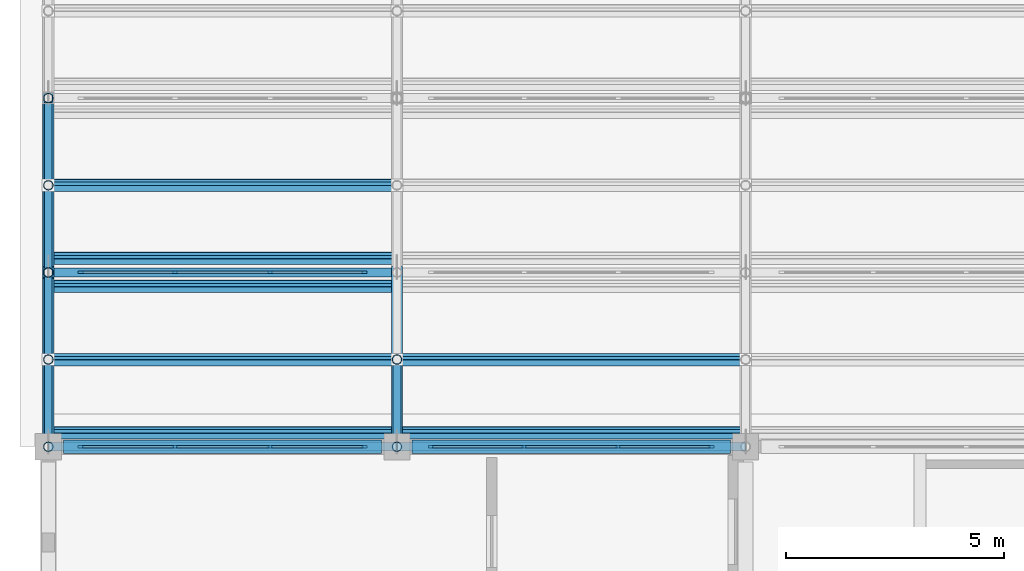
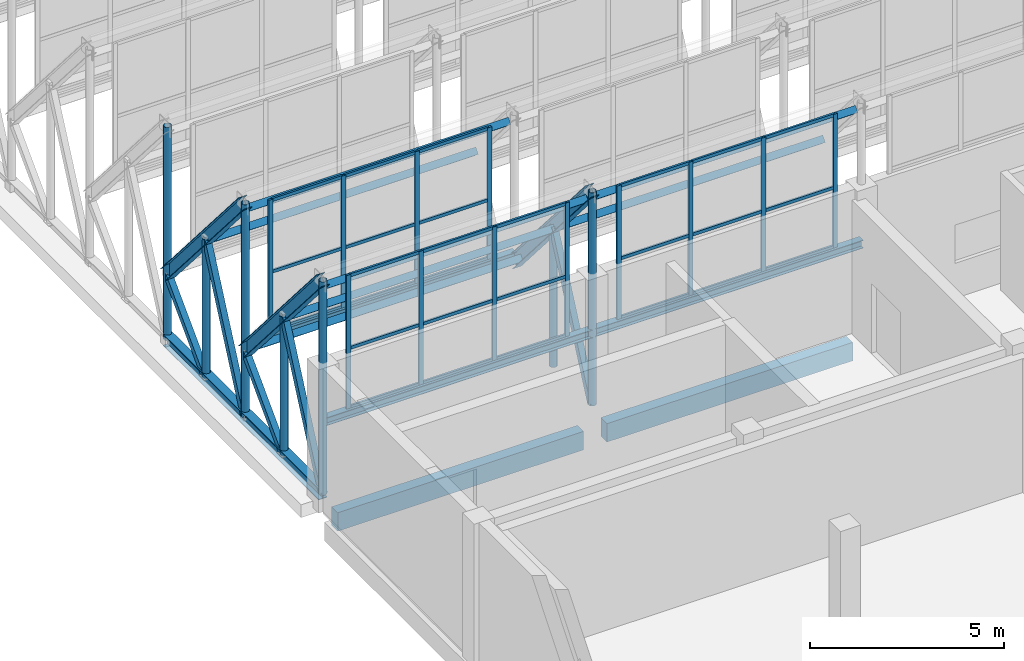
# One storey, part 21 of 43: 61 members, 6 beams, 3 elements without a shape of their own.
"""IFC4 building model written with IfcOpenShell, lengths in metres."""

from ifc_helpers import new_model, si_unit, direction, frame, origin, origin_2d, place, context, subcontext, project, spatial, rectangle, hollow_rectangle, hollow_circle, i_section, extrude, material, layer, layer_set, material_profile, profile_set, type_object, element, aggregate, save


model = new_model("IFC4")

# Units and contexts
model_context = context("Model", 3, precision=1e-05, world=origin(), true_north=direction((0.0, 1.0)))
body_context = subcontext(model_context, "Body", "Model", "MODEL_VIEW")
ifc_project = project(units=[si_unit("LENGTHUNIT", "METRE"), si_unit("AREAUNIT", "SQUARE_METRE"), si_unit("VOLUMEUNIT", "CUBIC_METRE"), si_unit("PLANEANGLEUNIT", "RADIAN"), si_unit("MASSUNIT", "GRAM", prefix="KILO")], contexts=[model_context])

# Site, building, storey
site_placement = place(None, origin())
site = spatial("IfcSite", under=ifc_project, at=site_placement, CompositionType="ELEMENT")
building_placement = place(site_placement, origin())
building = spatial("IfcBuilding", under=site, at=building_placement, Name="Qorikala Patio Media Centre", CompositionType="ELEMENT")
storey_placement = place(building_placement, frame((0.0, 0.0, 18.89990234375)))
storey = spatial("IfcBuildingStorey", under=building, at=storey_placement, Name="L04", CompositionType="ELEMENT", Elevation=18.89990234375)

# Members
ifc_material_1 = material(Name="Steel S355", Category="steel")
ifc_material_profile_1 = material_profile(ifc_material_1, hollow_rectangle(XDim=0.179931640625, YDim=0.179931640625, WallThickness=0.008056640625, at=origin_2d()), Name="HSS180X180X8")
ifc_profile_set_1 = profile_set([ifc_material_profile_1], Name="Steel S355")
member_type_1 = type_object("IfcMemberType", Name="BRACE-HSS180", PredefinedType="BRACE", material=ifc_profile_set_1)
member_1_placement = place(storey_placement, frame((3.0, 72.0, 0.35009765625), z_axis=(0.0, 0.415759760268, 0.909474475586), x_axis=(-1.0, 0.0, 0.0)))
element("IfcMember", 1, at=member_1_placement, inside=storey, type_object=member_type_1, Name="SAW-V4 Truss 1 Bay 1 Web Diagonal 1", PredefinedType="BRACE", context=body_context, shape_type="SweptSolid", body=[
    extrude(hollow_rectangle(XDim=0.179931640625, YDim=0.179931640625, WallThickness=0.008056640625, at=origin_2d()), origin(), (0.0, 0.0, 1.0), 4.810546875),
])
member_2_placement = place(storey_placement, frame((3.0, 74.0, 0.35009765625), z_axis=(0.0, 0.698315330267, 0.715790262238), x_axis=(-1.0, 0.0, 0.0)))
element("IfcMember", 2, at=member_2_placement, inside=storey, type_object=member_type_1, Name="SAW-V4 Truss 1 Bay 1 Web Diagonal 2", PredefinedType="BRACE", context=body_context, shape_type="SweptSolid", body=[
    extrude(hollow_rectangle(XDim=0.179931640625, YDim=0.179931640625, WallThickness=0.008056640625, at=origin_2d()), origin(), (0.0, 0.0, 1.0), 2.864013671875),
])
member_3_placement = place(storey_placement, frame((3.0, 76.0, 0.35009765625), z_axis=(0.0, 0.415759760268, 0.909474475586), x_axis=(-1.0, 0.0, 0.0)))
element("IfcMember", 3, at=member_3_placement, inside=storey, type_object=member_type_1, Name="SAW-V4 Truss 1 Bay 2 Web Diagonal 1", PredefinedType="BRACE", context=body_context, shape_type="SweptSolid", body=[
    extrude(hollow_rectangle(XDim=0.179931640625, YDim=0.179931640625, WallThickness=0.008056640625, at=origin_2d()), origin(), (0.0, 0.0, 1.0), 4.810546875),
])
member_4_placement = place(storey_placement, frame((3.0, 78.0, 0.35009765625), z_axis=(0.0, 0.698315330267, 0.715790262238), x_axis=(-1.0, 0.0, 0.0)))
element("IfcMember", 4, at=member_4_placement, inside=storey, type_object=member_type_1, Name="SAW-V4 Truss 1 Bay 2 Web Diagonal 2", PredefinedType="BRACE", context=body_context, shape_type="SweptSolid", body=[
    extrude(hollow_rectangle(XDim=0.179931640625, YDim=0.179931640625, WallThickness=0.008056640625, at=origin_2d()), origin(), (0.0, 0.0, 1.0), 2.864013671875),
])
member_5_placement = place(storey_placement, frame((11.0, 72.0, 0.35009765625), z_axis=(0.0, 0.415759760268, 0.909474475586), x_axis=(-1.0, 0.0, 0.0)))
element("IfcMember", 5, at=member_5_placement, inside=storey, type_object=member_type_1, Name="SAW-V4 Truss 2 Bay 1 Web Diagonal 1", PredefinedType="BRACE", context=body_context, shape_type="SweptSolid", body=[
    extrude(hollow_rectangle(XDim=0.179931640625, YDim=0.179931640625, WallThickness=0.008056640625, at=origin_2d()), origin(), (0.0, 0.0, 1.0), 4.810546875),
])
ifc_material_profile_2 = material_profile(ifc_material_1, i_section(OverallWidth=0.25390625, OverallDepth=0.35302734375, WebThickness=0.009521484375, FlangeThickness=0.016357421875, at=origin_2d()), Name="W360X91")
ifc_profile_set_2 = profile_set([ifc_material_profile_2], Name="Steel S355")
member_type_2 = type_object("IfcMemberType", Name="CHORD-W360X91", PredefinedType="CHORD", material=ifc_profile_set_2)
for number, where, z_axis, x_axis, name in (
    (6, (3.0, 72.0, 7.050048828125), (0.0, 0.652140853929, -0.758097821285), (-1.0, 0.0, 0.0), "SAW-V4 Truss 1 Bay 1 Sloped Top Chord"),
    (7, (3.0, 76.0, 7.050048828125), (0.0, 0.652140853929, -0.758097821285), (-1.0, 0.0, 0.0), "SAW-V4 Truss 1 Bay 2 Sloped Top Chord"),
    (8, (11.0, 72.0, 7.050048828125), (0.0, 0.652140853929, -0.758097821285), (-1.0, 0.0, 0.0), "SAW-V4 Truss 2 Bay 1 Sloped Top Chord"),
):
    element("IfcMember", number, at=place(storey_placement, frame(where, z_axis=z_axis, x_axis=x_axis)), inside=storey, type_object=member_type_2, Name=name, PredefinedType="CHORD", context=body_context, shape_type="SweptSolid", body=[
        extrude(i_section(OverallWidth=0.25390625, OverallDepth=0.35302734375, WebThickness=0.009521484375, FlangeThickness=0.016357421875, at=origin_2d()), origin(), (0.0, 0.0, 1.0), 6.133544921875),
    ])

# Curtain wall, members
ifc_material_2 = material(Name="Bronze Anodised Aluminium and Low-E Glass", Category="aluminium")
ifc_layer_1 = layer(ifc_material_2, 0.159912109375)
ifc_layer_set_1 = layer_set([ifc_layer_1], Name="Bronze Anodised Aluminium and Low-E Glass")
curtain_wall_type_1 = type_object("IfcCurtainWallType", Name="CW-SAW-656X420", PredefinedType="USERDEFINED", material=ifc_layer_set_1)
curtain_wall_1_placement = place(storey_placement, origin())
curtain_wall_1 = element("IfcCurtainWall", 9, at=curtain_wall_1_placement, inside=storey, type_object=curtain_wall_type_1, Name="L04 Sawtooth Glazing 142", ObjectType="SAWTOOTH GLAZING", PredefinedType="USERDEFINED")
ifc_material_3 = material(Name="Bronze Anodised Aluminium", Category="aluminium")
ifc_material_profile_3 = material_profile(ifc_material_3, rectangle(XDim=0.06005859375, YDim=0.1298828125, at=origin_2d()), Name="ALU MULLION 60x130")
ifc_profile_set_3 = profile_set([ifc_material_profile_3], Name="Bronze Anodised Aluminium")
member_type_3 = type_object("IfcMemberType", Name="CWM-60X130", PredefinedType="MULLION", material=ifc_profile_set_3)
member_6_placement = place(storey_placement, frame((3.75, 72.0, 2.75), z_axis=(0.0, 0.0, 1.0), x_axis=(0.0, 1.0, 0.0)))
member_6 = element("IfcMember", 10, at=member_6_placement, type_object=member_type_3, Name="CWS656420 mullion 1", PredefinedType="MULLION", context=body_context, shape_type="SweptSolid", body=[
    extrude(rectangle(XDim=0.06005859375, YDim=0.1298828125, at=origin_2d()), origin(), (0.0, 0.0, 1.0), 4.2001953125),
])
member_7_placement = place(storey_placement, frame((5.90673828125, 72.0, 2.75), z_axis=(0.0, 0.0, 1.0), x_axis=(0.0, 1.0, 0.0)))
member_7 = element("IfcMember", 11, at=member_7_placement, type_object=member_type_3, Name="CWS656420 mullion 2", PredefinedType="MULLION", context=body_context, shape_type="SweptSolid", body=[
    extrude(rectangle(XDim=0.06005859375, YDim=0.1298828125, at=origin_2d()), origin(), (0.0, 0.0, 1.0), 4.2001953125),
])
member_8_placement = place(storey_placement, frame((8.09326171875, 72.0, 2.75), z_axis=(0.0, 0.0, 1.0), x_axis=(0.0, 1.0, 0.0)))
member_8 = element("IfcMember", 12, at=member_8_placement, type_object=member_type_3, Name="CWS656420 mullion 3", PredefinedType="MULLION", context=body_context, shape_type="SweptSolid", body=[
    extrude(rectangle(XDim=0.06005859375, YDim=0.1298828125, at=origin_2d()), origin(), (0.0, 0.0, 1.0), 4.2001953125),
])
member_9_placement = place(storey_placement, frame((10.25, 72.0, 2.75), z_axis=(0.0, 0.0, 1.0), x_axis=(0.0, 1.0, 0.0)))
member_9 = element("IfcMember", 13, at=member_9_placement, type_object=member_type_3, Name="CWS656420 mullion 4", PredefinedType="MULLION", context=body_context, shape_type="SweptSolid", body=[
    extrude(rectangle(XDim=0.06005859375, YDim=0.1298828125, at=origin_2d()), origin(), (0.0, 0.0, 1.0), 4.2001953125),
])

ifc_layer_2 = layer(ifc_material_2, 0.159912109375)
ifc_layer_set_2 = layer_set([ifc_layer_2], Name="Bronze Anodised Aluminium and Low-E Glass")
curtain_wall_type_2 = type_object("IfcCurtainWallType", Name="CW-SAW-648X420", PredefinedType="USERDEFINED", material=ifc_layer_set_2)
curtain_wall_2_placement = place(storey_placement, origin())
curtain_wall_2 = element("IfcCurtainWall", 14, at=curtain_wall_2_placement, inside=storey, type_object=curtain_wall_type_2, Name="L04 Sawtooth Glazing 143", ObjectType="SAWTOOTH GLAZING", PredefinedType="USERDEFINED")
member_10_placement = place(storey_placement, frame((11.7900390625, 72.0, 2.75), z_axis=(0.0, 0.0, 1.0), x_axis=(0.0, 1.0, 0.0)))
member_10 = element("IfcMember", 15, at=member_10_placement, type_object=member_type_3, Name="CWS648420 mullion 1", PredefinedType="MULLION", context=body_context, shape_type="SweptSolid", body=[
    extrude(rectangle(XDim=0.06005859375, YDim=0.1298828125, at=origin_2d()), origin(), (0.0, 0.0, 1.0), 4.2001953125),
])
member_11_placement = place(storey_placement, frame((13.919921875, 72.0, 2.75), z_axis=(0.0, 0.0, 1.0), x_axis=(0.0, 1.0, 0.0)))
member_11 = element("IfcMember", 16, at=member_11_placement, type_object=member_type_3, Name="CWS648420 mullion 2", PredefinedType="MULLION", context=body_context, shape_type="SweptSolid", body=[
    extrude(rectangle(XDim=0.06005859375, YDim=0.1298828125, at=origin_2d()), origin(), (0.0, 0.0, 1.0), 4.2001953125),
])
member_12_placement = place(storey_placement, frame((16.080078125, 72.0, 2.75), z_axis=(0.0, 0.0, 1.0), x_axis=(0.0, 1.0, 0.0)))
member_12 = element("IfcMember", 17, at=member_12_placement, type_object=member_type_3, Name="CWS648420 mullion 3", PredefinedType="MULLION", context=body_context, shape_type="SweptSolid", body=[
    extrude(rectangle(XDim=0.06005859375, YDim=0.1298828125, at=origin_2d()), origin(), (0.0, 0.0, 1.0), 4.2001953125),
])
member_13_placement = place(storey_placement, frame((18.2099609375, 72.0, 2.75), z_axis=(0.0, 0.0, 1.0), x_axis=(0.0, 1.0, 0.0)))
member_13 = element("IfcMember", 18, at=member_13_placement, type_object=member_type_3, Name="CWS648420 mullion 4", PredefinedType="MULLION", context=body_context, shape_type="SweptSolid", body=[
    extrude(rectangle(XDim=0.06005859375, YDim=0.1298828125, at=origin_2d()), origin(), (0.0, 0.0, 1.0), 4.2001953125),
])

ifc_layer_3 = layer(ifc_material_2, 0.159912109375)
ifc_layer_set_3 = layer_set([ifc_layer_3], Name="Bronze Anodised Aluminium and Low-E Glass")
curtain_wall_type_3 = type_object("IfcCurtainWallType", Name="CW-SAW-656X414", PredefinedType="USERDEFINED", material=ifc_layer_set_3)
curtain_wall_3_placement = place(storey_placement, origin())
curtain_wall_3 = element("IfcCurtainWall", 19, at=curtain_wall_3_placement, inside=storey, type_object=curtain_wall_type_3, Name="L04 Sawtooth Glazing 145", ObjectType="SAWTOOTH GLAZING", PredefinedType="USERDEFINED")
member_14_placement = place(storey_placement, frame((3.75, 76.0, 2.75), z_axis=(0.0, 0.0, 1.0), x_axis=(0.0, 1.0, 0.0)))
member_14 = element("IfcMember", 20, at=member_14_placement, type_object=member_type_3, Name="CWS656414 mullion 1", PredefinedType="MULLION", context=body_context, shape_type="SweptSolid", body=[
    extrude(rectangle(XDim=0.06005859375, YDim=0.1298828125, at=origin_2d()), origin(), (0.0, 0.0, 1.0), 4.14013671875),
])
member_15_placement = place(storey_placement, frame((5.90673828125, 76.0, 2.75), z_axis=(0.0, 0.0, 1.0), x_axis=(0.0, 1.0, 0.0)))
member_15 = element("IfcMember", 21, at=member_15_placement, type_object=member_type_3, Name="CWS656414 mullion 2", PredefinedType="MULLION", context=body_context, shape_type="SweptSolid", body=[
    extrude(rectangle(XDim=0.06005859375, YDim=0.1298828125, at=origin_2d()), origin(), (0.0, 0.0, 1.0), 4.14013671875),
])
member_16_placement = place(storey_placement, frame((8.09326171875, 76.0, 2.75), z_axis=(0.0, 0.0, 1.0), x_axis=(0.0, 1.0, 0.0)))
member_16 = element("IfcMember", 22, at=member_16_placement, type_object=member_type_3, Name="CWS656414 mullion 3", PredefinedType="MULLION", context=body_context, shape_type="SweptSolid", body=[
    extrude(rectangle(XDim=0.06005859375, YDim=0.1298828125, at=origin_2d()), origin(), (0.0, 0.0, 1.0), 4.14013671875),
])
member_17_placement = place(storey_placement, frame((10.25, 76.0, 2.75), z_axis=(0.0, 0.0, 1.0), x_axis=(0.0, 1.0, 0.0)))
member_17 = element("IfcMember", 23, at=member_17_placement, type_object=member_type_3, Name="CWS656414 mullion 4", PredefinedType="MULLION", context=body_context, shape_type="SweptSolid", body=[
    extrude(rectangle(XDim=0.06005859375, YDim=0.1298828125, at=origin_2d()), origin(), (0.0, 0.0, 1.0), 4.14013671875),
])

# Member
ifc_material_profile_4 = material_profile(ifc_material_3, rectangle(XDim=0.06005859375, YDim=0.10009765625, at=origin_2d()), Name="ALU TRANSOM 60x100")
ifc_profile_set_4 = profile_set([ifc_material_profile_4], Name="Bronze Anodised Aluminium")
member_type_4 = type_object("IfcMemberType", Name="CWT-60X100", PredefinedType="USERDEFINED", material=ifc_profile_set_4)
member_18_placement = place(storey_placement, frame((3.780029296875, 72.0, 2.780029296875), z_axis=(1.0, 0.0, 0.0), x_axis=(0.0, 1.0, 0.0)))
member_18 = element("IfcMember", 24, at=member_18_placement, type_object=member_type_4, Name="CWS656420 transom 1.1", ObjectType="TRANSOM", PredefinedType="USERDEFINED", context=body_context, shape_type="SweptSolid", body=[
    extrude(rectangle(XDim=0.06005859375, YDim=0.10009765625, at=origin_2d()), origin(), (0.0, 0.0, 1.0), 2.0966796875),
])

member_19_placement = place(storey_placement, frame((3.780029296875, 72.0, 4.64013671875), z_axis=(1.0, 0.0, 0.0), x_axis=(0.0, 1.0, 0.0)))
member_19 = element("IfcMember", 25, at=member_19_placement, type_object=member_type_4, Name="CWS656420 transom 1.2", ObjectType="TRANSOM", PredefinedType="USERDEFINED", context=body_context, shape_type="SweptSolid", body=[
    extrude(rectangle(XDim=0.06005859375, YDim=0.10009765625, at=origin_2d()), origin(), (0.0, 0.0, 1.0), 2.0966796875),
])

member_20_placement = place(storey_placement, frame((3.780029296875, 72.0, 6.920166015625), z_axis=(1.0, 0.0, 0.0), x_axis=(0.0, 1.0, 0.0)))
member_20 = element("IfcMember", 26, at=member_20_placement, type_object=member_type_4, Name="CWS656420 transom 1.3", ObjectType="TRANSOM", PredefinedType="USERDEFINED", context=body_context, shape_type="SweptSolid", body=[
    extrude(rectangle(XDim=0.06005859375, YDim=0.10009765625, at=origin_2d()), origin(), (0.0, 0.0, 1.0), 2.0966796875),
])

member_21_placement = place(storey_placement, frame((5.936767578125, 72.0, 2.780029296875), z_axis=(1.0, 0.0, 0.0), x_axis=(0.0, 1.0, 0.0)))
member_21 = element("IfcMember", 27, at=member_21_placement, type_object=member_type_4, Name="CWS656420 transom 2.1", ObjectType="TRANSOM", PredefinedType="USERDEFINED", context=body_context, shape_type="SweptSolid", body=[
    extrude(rectangle(XDim=0.06005859375, YDim=0.10009765625, at=origin_2d()), origin(), (0.0, 0.0, 1.0), 2.12646484375),
])

member_22_placement = place(storey_placement, frame((5.936767578125, 72.0, 4.64013671875), z_axis=(1.0, 0.0, 0.0), x_axis=(0.0, 1.0, 0.0)))
member_22 = element("IfcMember", 28, at=member_22_placement, type_object=member_type_4, Name="CWS656420 transom 2.2", ObjectType="TRANSOM", PredefinedType="USERDEFINED", context=body_context, shape_type="SweptSolid", body=[
    extrude(rectangle(XDim=0.06005859375, YDim=0.10009765625, at=origin_2d()), origin(), (0.0, 0.0, 1.0), 2.12646484375),
])

member_23_placement = place(storey_placement, frame((5.936767578125, 72.0, 6.920166015625), z_axis=(1.0, 0.0, 0.0), x_axis=(0.0, 1.0, 0.0)))
member_23 = element("IfcMember", 29, at=member_23_placement, type_object=member_type_4, Name="CWS656420 transom 2.3", ObjectType="TRANSOM", PredefinedType="USERDEFINED", context=body_context, shape_type="SweptSolid", body=[
    extrude(rectangle(XDim=0.06005859375, YDim=0.10009765625, at=origin_2d()), origin(), (0.0, 0.0, 1.0), 2.12646484375),
])

member_24_placement = place(storey_placement, frame((8.123291015625, 72.0, 2.780029296875), z_axis=(1.0, 0.0, 0.0), x_axis=(0.0, 1.0, 0.0)))
member_24 = element("IfcMember", 30, at=member_24_placement, type_object=member_type_4, Name="CWS656420 transom 3.1", ObjectType="TRANSOM", PredefinedType="USERDEFINED", context=body_context, shape_type="SweptSolid", body=[
    extrude(rectangle(XDim=0.06005859375, YDim=0.10009765625, at=origin_2d()), origin(), (0.0, 0.0, 1.0), 2.0966796875),
])

member_25_placement = place(storey_placement, frame((8.123291015625, 72.0, 4.64013671875), z_axis=(1.0, 0.0, 0.0), x_axis=(0.0, 1.0, 0.0)))
member_25 = element("IfcMember", 31, at=member_25_placement, type_object=member_type_4, Name="CWS656420 transom 3.2", ObjectType="TRANSOM", PredefinedType="USERDEFINED", context=body_context, shape_type="SweptSolid", body=[
    extrude(rectangle(XDim=0.06005859375, YDim=0.10009765625, at=origin_2d()), origin(), (0.0, 0.0, 1.0), 2.0966796875),
])

member_26_placement = place(storey_placement, frame((8.123291015625, 72.0, 6.920166015625), z_axis=(1.0, 0.0, 0.0), x_axis=(0.0, 1.0, 0.0)))
member_26 = element("IfcMember", 32, at=member_26_placement, type_object=member_type_4, Name="CWS656420 transom 3.3", ObjectType="TRANSOM", PredefinedType="USERDEFINED", context=body_context, shape_type="SweptSolid", body=[
    extrude(rectangle(XDim=0.06005859375, YDim=0.10009765625, at=origin_2d()), origin(), (0.0, 0.0, 1.0), 2.0966796875),
])

aggregate(curtain_wall_1, [member_6, member_7, member_8, member_9, member_18, member_19, member_20, member_21, member_22, member_23, member_24, member_25, member_26])

member_27_placement = place(storey_placement, frame((11.820068359375, 72.0, 2.780029296875), z_axis=(1.0, 0.0, 0.0), x_axis=(0.0, 1.0, 0.0)))
member_27 = element("IfcMember", 33, at=member_27_placement, type_object=member_type_4, Name="CWS648420 transom 1.1", ObjectType="TRANSOM", PredefinedType="USERDEFINED", context=body_context, shape_type="SweptSolid", body=[
    extrude(rectangle(XDim=0.06005859375, YDim=0.10009765625, at=origin_2d()), origin(), (0.0, 0.0, 1.0), 2.06982421875),
])

member_28_placement = place(storey_placement, frame((11.820068359375, 72.0, 4.64013671875), z_axis=(1.0, 0.0, 0.0), x_axis=(0.0, 1.0, 0.0)))
member_28 = element("IfcMember", 34, at=member_28_placement, type_object=member_type_4, Name="CWS648420 transom 1.2", ObjectType="TRANSOM", PredefinedType="USERDEFINED", context=body_context, shape_type="SweptSolid", body=[
    extrude(rectangle(XDim=0.06005859375, YDim=0.10009765625, at=origin_2d()), origin(), (0.0, 0.0, 1.0), 2.06982421875),
])

member_29_placement = place(storey_placement, frame((11.820068359375, 72.0, 6.920166015625), z_axis=(1.0, 0.0, 0.0), x_axis=(0.0, 1.0, 0.0)))
member_29 = element("IfcMember", 35, at=member_29_placement, type_object=member_type_4, Name="CWS648420 transom 1.3", ObjectType="TRANSOM", PredefinedType="USERDEFINED", context=body_context, shape_type="SweptSolid", body=[
    extrude(rectangle(XDim=0.06005859375, YDim=0.10009765625, at=origin_2d()), origin(), (0.0, 0.0, 1.0), 2.06982421875),
])

member_30_placement = place(storey_placement, frame((13.949951171875, 72.0, 2.780029296875), z_axis=(1.0, 0.0, 0.0), x_axis=(0.0, 1.0, 0.0)))
member_30 = element("IfcMember", 36, at=member_30_placement, type_object=member_type_4, Name="CWS648420 transom 2.1", ObjectType="TRANSOM", PredefinedType="USERDEFINED", context=body_context, shape_type="SweptSolid", body=[
    extrude(rectangle(XDim=0.06005859375, YDim=0.10009765625, at=origin_2d()), origin(), (0.0, 0.0, 1.0), 2.10009765625),
])

member_31_placement = place(storey_placement, frame((13.949951171875, 72.0, 4.64013671875), z_axis=(1.0, 0.0, 0.0), x_axis=(0.0, 1.0, 0.0)))
member_31 = element("IfcMember", 37, at=member_31_placement, type_object=member_type_4, Name="CWS648420 transom 2.2", ObjectType="TRANSOM", PredefinedType="USERDEFINED", context=body_context, shape_type="SweptSolid", body=[
    extrude(rectangle(XDim=0.06005859375, YDim=0.10009765625, at=origin_2d()), origin(), (0.0, 0.0, 1.0), 2.10009765625),
])

member_32_placement = place(storey_placement, frame((13.949951171875, 72.0, 6.920166015625), z_axis=(1.0, 0.0, 0.0), x_axis=(0.0, 1.0, 0.0)))
member_32 = element("IfcMember", 38, at=member_32_placement, type_object=member_type_4, Name="CWS648420 transom 2.3", ObjectType="TRANSOM", PredefinedType="USERDEFINED", context=body_context, shape_type="SweptSolid", body=[
    extrude(rectangle(XDim=0.06005859375, YDim=0.10009765625, at=origin_2d()), origin(), (0.0, 0.0, 1.0), 2.10009765625),
])

member_33_placement = place(storey_placement, frame((16.110107421875, 72.0, 2.780029296875), z_axis=(1.0, 0.0, 0.0), x_axis=(0.0, 1.0, 0.0)))
member_33 = element("IfcMember", 39, at=member_33_placement, type_object=member_type_4, Name="CWS648420 transom 3.1", ObjectType="TRANSOM", PredefinedType="USERDEFINED", context=body_context, shape_type="SweptSolid", body=[
    extrude(rectangle(XDim=0.06005859375, YDim=0.10009765625, at=origin_2d()), origin(), (0.0, 0.0, 1.0), 2.06982421875),
])

member_34_placement = place(storey_placement, frame((16.110107421875, 72.0, 4.64013671875), z_axis=(1.0, 0.0, 0.0), x_axis=(0.0, 1.0, 0.0)))
member_34 = element("IfcMember", 40, at=member_34_placement, type_object=member_type_4, Name="CWS648420 transom 3.2", ObjectType="TRANSOM", PredefinedType="USERDEFINED", context=body_context, shape_type="SweptSolid", body=[
    extrude(rectangle(XDim=0.06005859375, YDim=0.10009765625, at=origin_2d()), origin(), (0.0, 0.0, 1.0), 2.06982421875),
])

member_35_placement = place(storey_placement, frame((16.110107421875, 72.0, 6.920166015625), z_axis=(1.0, 0.0, 0.0), x_axis=(0.0, 1.0, 0.0)))
member_35 = element("IfcMember", 41, at=member_35_placement, type_object=member_type_4, Name="CWS648420 transom 3.3", ObjectType="TRANSOM", PredefinedType="USERDEFINED", context=body_context, shape_type="SweptSolid", body=[
    extrude(rectangle(XDim=0.06005859375, YDim=0.10009765625, at=origin_2d()), origin(), (0.0, 0.0, 1.0), 2.06982421875),
])

aggregate(curtain_wall_2, [member_10, member_11, member_12, member_13, member_27, member_28, member_29, member_30, member_31, member_32, member_33, member_34, member_35])

member_36_placement = place(storey_placement, frame((3.780029296875, 76.0, 2.780029296875), z_axis=(1.0, 0.0, 0.0), x_axis=(0.0, 1.0, 0.0)))
member_36 = element("IfcMember", 42, at=member_36_placement, type_object=member_type_4, Name="CWS656414 transom 1.1", ObjectType="TRANSOM", PredefinedType="USERDEFINED", context=body_context, shape_type="SweptSolid", body=[
    extrude(rectangle(XDim=0.06005859375, YDim=0.10009765625, at=origin_2d()), origin(), (0.0, 0.0, 1.0), 2.0966796875),
])

member_37_placement = place(storey_placement, frame((3.780029296875, 76.0, 4.613037109375), z_axis=(1.0, 0.0, 0.0), x_axis=(0.0, 1.0, 0.0)))
member_37 = element("IfcMember", 43, at=member_37_placement, type_object=member_type_4, Name="CWS656414 transom 1.2", ObjectType="TRANSOM", PredefinedType="USERDEFINED", context=body_context, shape_type="SweptSolid", body=[
    extrude(rectangle(XDim=0.06005859375, YDim=0.10009765625, at=origin_2d()), origin(), (0.0, 0.0, 1.0), 2.0966796875),
])

member_38_placement = place(storey_placement, frame((3.780029296875, 76.0, 6.860107421875), z_axis=(1.0, 0.0, 0.0), x_axis=(0.0, 1.0, 0.0)))
member_38 = element("IfcMember", 44, at=member_38_placement, type_object=member_type_4, Name="CWS656414 transom 1.3", ObjectType="TRANSOM", PredefinedType="USERDEFINED", context=body_context, shape_type="SweptSolid", body=[
    extrude(rectangle(XDim=0.06005859375, YDim=0.10009765625, at=origin_2d()), origin(), (0.0, 0.0, 1.0), 2.0966796875),
])

member_39_placement = place(storey_placement, frame((5.936767578125, 76.0, 2.780029296875), z_axis=(1.0, 0.0, 0.0), x_axis=(0.0, 1.0, 0.0)))
member_39 = element("IfcMember", 45, at=member_39_placement, type_object=member_type_4, Name="CWS656414 transom 2.1", ObjectType="TRANSOM", PredefinedType="USERDEFINED", context=body_context, shape_type="SweptSolid", body=[
    extrude(rectangle(XDim=0.06005859375, YDim=0.10009765625, at=origin_2d()), origin(), (0.0, 0.0, 1.0), 2.12646484375),
])

member_40_placement = place(storey_placement, frame((5.936767578125, 76.0, 4.613037109375), z_axis=(1.0, 0.0, 0.0), x_axis=(0.0, 1.0, 0.0)))
member_40 = element("IfcMember", 46, at=member_40_placement, type_object=member_type_4, Name="CWS656414 transom 2.2", ObjectType="TRANSOM", PredefinedType="USERDEFINED", context=body_context, shape_type="SweptSolid", body=[
    extrude(rectangle(XDim=0.06005859375, YDim=0.10009765625, at=origin_2d()), origin(), (0.0, 0.0, 1.0), 2.12646484375),
])

member_41_placement = place(storey_placement, frame((5.936767578125, 76.0, 6.860107421875), z_axis=(1.0, 0.0, 0.0), x_axis=(0.0, 1.0, 0.0)))
member_41 = element("IfcMember", 47, at=member_41_placement, type_object=member_type_4, Name="CWS656414 transom 2.3", ObjectType="TRANSOM", PredefinedType="USERDEFINED", context=body_context, shape_type="SweptSolid", body=[
    extrude(rectangle(XDim=0.06005859375, YDim=0.10009765625, at=origin_2d()), origin(), (0.0, 0.0, 1.0), 2.12646484375),
])

member_42_placement = place(storey_placement, frame((8.123291015625, 76.0, 2.780029296875), z_axis=(1.0, 0.0, 0.0), x_axis=(0.0, 1.0, 0.0)))
member_42 = element("IfcMember", 48, at=member_42_placement, type_object=member_type_4, Name="CWS656414 transom 3.1", ObjectType="TRANSOM", PredefinedType="USERDEFINED", context=body_context, shape_type="SweptSolid", body=[
    extrude(rectangle(XDim=0.06005859375, YDim=0.10009765625, at=origin_2d()), origin(), (0.0, 0.0, 1.0), 2.0966796875),
])

member_43_placement = place(storey_placement, frame((8.123291015625, 76.0, 4.613037109375), z_axis=(1.0, 0.0, 0.0), x_axis=(0.0, 1.0, 0.0)))
member_43 = element("IfcMember", 49, at=member_43_placement, type_object=member_type_4, Name="CWS656414 transom 3.2", ObjectType="TRANSOM", PredefinedType="USERDEFINED", context=body_context, shape_type="SweptSolid", body=[
    extrude(rectangle(XDim=0.06005859375, YDim=0.10009765625, at=origin_2d()), origin(), (0.0, 0.0, 1.0), 2.0966796875),
])

member_44_placement = place(storey_placement, frame((8.123291015625, 76.0, 6.860107421875), z_axis=(1.0, 0.0, 0.0), x_axis=(0.0, 1.0, 0.0)))
member_44 = element("IfcMember", 50, at=member_44_placement, type_object=member_type_4, Name="CWS656414 transom 3.3", ObjectType="TRANSOM", PredefinedType="USERDEFINED", context=body_context, shape_type="SweptSolid", body=[
    extrude(rectangle(XDim=0.06005859375, YDim=0.10009765625, at=origin_2d()), origin(), (0.0, 0.0, 1.0), 2.0966796875),
])

aggregate(curtain_wall_3, [member_14, member_15, member_16, member_17, member_36, member_37, member_38, member_39, member_40, member_41, member_42, member_43, member_44])

# Members
ifc_material_profile_5 = material_profile(ifc_material_1, i_section(OverallWidth=0.202880859375, OverallDepth=0.202880859375, WebThickness=0.007080078125, FlangeThickness=0.010986328125, at=origin_2d()), Name="W200X46")
ifc_profile_set_5 = profile_set([ifc_material_profile_5], Name="Steel S355")
member_type_5 = type_object("IfcMemberType", Name="PURLIN-W200X46", PredefinedType="PURLIN", material=ifc_profile_set_5)
for number, where, z_axis, x_axis, name in (
    (51, (3.0, 72.320068359375, 6.596435546875), (1.0, 0.0, 0.0), (0.0, 0.652138098758, 0.758100191366), "SAW-V4 Bay 1 Roof Purlin"),
    (52, (11.0, 72.320068359375, 6.596435546875), (1.0, 0.0, 0.0), (0.0, 0.652138098758, 0.758100191366), "SAW-V4 Bay 1 Roof Purlin"),
    (53, (3.0, 74.0, 4.643310546875), (1.0, 0.0, 0.0), (0.0, 0.652138098758, 0.758100191366), "SAW-V4 Bay 1 Roof Purlin"),
    (54, (11.0, 74.0, 4.643310546875), (1.0, 0.0, 0.0), (0.0, 0.652138098758, 0.758100191366), "SAW-V4 Bay 1 Roof Purlin"),
    (55, (3.0, 75.679931640625, 2.6904296875), (1.0, 0.0, 0.0), (0.0, 0.652138098758, 0.758100191366), "SAW-V4 Bay 1 Roof Purlin"),
    (56, (3.0, 76.320068359375, 6.596435546875), (1.0, 0.0, 0.0), (0.0, 0.652138098758, 0.758100191366), "SAW-V4 Bay 2 Roof Purlin"),
    (57, (3.0, 78.0, 4.643310546875), (1.0, 0.0, 0.0), (0.0, 0.652138098758, 0.758100191366), "SAW-V4 Bay 2 Roof Purlin"),
):
    element("IfcMember", number, at=place(storey_placement, frame(where, z_axis=z_axis, x_axis=x_axis)), inside=storey, type_object=member_type_5, Name=name, PredefinedType="PURLIN", context=body_context, shape_type="SweptSolid", body=[
        extrude(i_section(OverallWidth=0.202880859375, OverallDepth=0.202880859375, WebThickness=0.007080078125, FlangeThickness=0.010986328125, at=origin_2d()), origin(), (0.0, 0.0, 1.0), 8.0),
    ])

# Beams
ifc_material_profile_6 = material_profile(ifc_material_1, i_section(OverallWidth=0.202880859375, OverallDepth=0.251953125, WebThickness=0.008056640625, FlangeThickness=0.013427734375, at=origin_2d()), Name="W250X58")
ifc_profile_set_6 = profile_set([ifc_material_profile_6], Name="Steel S355")
beam_type_1 = type_object("IfcBeamType", Name="SBM-W250X58", PredefinedType="BEAM", material=ifc_profile_set_6)
for number, where, z_axis, x_axis, name in (
    (58, (3.0, 72.0, 2.625), (1.0, 0.0, 0.0), (0.0, 1.0, 0.0), "Sawtooth V4 Clerestory Sill Beam 1.1"),
    (59, (11.0, 72.0, 2.625), (1.0, 0.0, 0.0), (0.0, 1.0, 0.0), "Sawtooth V4 Clerestory Sill Beam 1.2"),
    (60, (3.0, 76.0, 2.625), (1.0, 0.0, 0.0), (0.0, 1.0, 0.0), "Sawtooth V4 Clerestory Sill Beam 2.1"),
):
    element("IfcBeam", number, at=place(storey_placement, frame(where, z_axis=z_axis, x_axis=x_axis)), inside=storey, type_object=beam_type_1, Name=name, PredefinedType="BEAM", context=body_context, shape_type="SweptSolid", body=[
        extrude(i_section(OverallWidth=0.202880859375, OverallDepth=0.251953125, WebThickness=0.008056640625, FlangeThickness=0.013427734375, at=origin_2d()), origin(), (0.0, 0.0, 1.0), 8.0),
    ])
ifc_material_profile_7 = material_profile(ifc_material_1, i_section(OverallWidth=0.257080078125, OverallDepth=0.363037109375, WebThickness=0.012939453125, FlangeThickness=0.021728515625, at=origin_2d()), Name="W360X122")
ifc_profile_set_7 = profile_set([ifc_material_profile_7], Name="Steel S355")
beam_type_2 = type_object("IfcBeamType", Name="SBM-W360X122", PredefinedType="BEAM", material=ifc_profile_set_7)
beam_placement = place(storey_placement, frame((3.0, 72.0, 0.35009765625), z_axis=(0.0, 1.0, 0.0), x_axis=(-1.0, 0.0, 0.0)))
element("IfcBeam", 61, at=beam_placement, inside=storey, type_object=beam_type_2, Name="SAW-V4 Longitudinal Truss Tie Girder X=3", PredefinedType="BEAM", context=body_context, shape_type="SweptSolid", body=[
    extrude(i_section(OverallWidth=0.257080078125, OverallDepth=0.363037109375, WebThickness=0.012939453125, FlangeThickness=0.021728515625, at=origin_2d()), origin(), (0.0, 0.0, 1.0), 8.0),
])
ifc_material_4 = material(Name="Concrete C35/45", Category="concrete")
ifc_material_profile_8 = material_profile(ifc_material_4, rectangle(XDim=0.320068359375, YDim=0.580078125, at=origin_2d()), Name="RC 320x580")
ifc_profile_set_8 = profile_set([ifc_material_profile_8], Name="Concrete C35/45")
beam_type_3 = type_object("IfcBeamType", Name="SP-320X580", PredefinedType="SPANDREL", material=ifc_profile_set_8)
for number, where, z_axis, x_axis, name in (
    (62, (3.35009765625, 72.0, -0.58984375), (1.0, 0.0, 0.0), (0.0, 1.0, 0.0), "L04 Grid 72 Beam 1381"),
    (63, (11.35009765625, 72.0, -0.58984375), (1.0, 0.0, 0.0), (0.0, 1.0, 0.0), "L04 Grid 72 Beam 1382"),
):
    element("IfcBeam", number, at=place(storey_placement, frame(where, z_axis=z_axis, x_axis=x_axis)), inside=storey, type_object=beam_type_3, Name=name, PredefinedType="SPANDREL", context=body_context, shape_type="SweptSolid", body=[
        extrude(rectangle(XDim=0.320068359375, YDim=0.580078125, at=origin_2d()), origin(), (0.0, 0.0, 1.0), 7.2998046875),
    ])

# Members
ifc_material_profile_9 = material_profile(ifc_material_1, hollow_circle(Radius=0.109619140625, WallThickness=0.008056640625, at=origin_2d()), Name="CHS219X8")
ifc_profile_set_9 = profile_set([ifc_material_profile_9], Name="Steel S355")
member_type_6 = type_object("IfcMemberType", Name="STRUT-CHS219", PredefinedType="STRUT", material=ifc_profile_set_9)
member_45_placement = place(storey_placement, frame((3.0, 72.0, 0.35009765625), z_axis=(0.0, 0.0, 1.0), x_axis=(1.0, 0.0, 0.0)))
element("IfcMember", 64, at=member_45_placement, inside=storey, type_object=member_type_6, Name="SAW-V4 Truss 1 Bay 1 Clerestory Post", PredefinedType="STRUT", context=body_context, shape_type="SweptSolid", body=[
    extrude(hollow_circle(Radius=0.109619140625, WallThickness=0.008056640625, at=origin_2d()), origin(), (0.0, 0.0, 1.0), 6.699951171875),
])
member_46_placement = place(storey_placement, frame((3.0, 74.0, 0.35009765625), z_axis=(0.0, 0.0, 1.0), x_axis=(1.0, 0.0, 0.0)))
element("IfcMember", 65, at=member_46_placement, inside=storey, type_object=member_type_6, Name="SAW-V4 Truss 1 Bay 1 Mid Strut", PredefinedType="STRUT", context=body_context, shape_type="SweptSolid", body=[
    extrude(hollow_circle(Radius=0.109619140625, WallThickness=0.008056640625, at=origin_2d()), origin(), (0.0, 0.0, 1.0), 4.375),
])
member_47_placement = place(storey_placement, frame((3.0, 76.0, 0.35009765625), z_axis=(0.0, 0.0, 1.0), x_axis=(1.0, 0.0, 0.0)))
element("IfcMember", 66, at=member_47_placement, inside=storey, type_object=member_type_6, Name="SAW-V4 Truss 1 Bay 2 Clerestory Post", PredefinedType="STRUT", context=body_context, shape_type="SweptSolid", body=[
    extrude(hollow_circle(Radius=0.109619140625, WallThickness=0.008056640625, at=origin_2d()), origin(), (0.0, 0.0, 1.0), 6.699951171875),
])
member_48_placement = place(storey_placement, frame((3.0, 78.0, 0.35009765625), z_axis=(0.0, 0.0, 1.0), x_axis=(1.0, 0.0, 0.0)))
element("IfcMember", 67, at=member_48_placement, inside=storey, type_object=member_type_6, Name="SAW-V4 Truss 1 Bay 2 Mid Strut", PredefinedType="STRUT", context=body_context, shape_type="SweptSolid", body=[
    extrude(hollow_circle(Radius=0.109619140625, WallThickness=0.008056640625, at=origin_2d()), origin(), (0.0, 0.0, 1.0), 4.375),
])
for number, where, z_axis, x_axis, name in (
    (68, (3.0, 80.0, 0.35009765625), (0.0, 0.0, 1.0), (1.0, 0.0, 0.0), "SAW-V4 Truss 1 Bay 3 Clerestory Post"),
    (69, (11.0, 72.0, 0.35009765625), (0.0, 0.0, 1.0), (1.0, 0.0, 0.0), "SAW-V4 Truss 2 Bay 1 Clerestory Post"),
):
    element("IfcMember", number, at=place(storey_placement, frame(where, z_axis=z_axis, x_axis=x_axis)), inside=storey, type_object=member_type_6, Name=name, PredefinedType="STRUT", context=body_context, shape_type="SweptSolid", body=[
        extrude(hollow_circle(Radius=0.109619140625, WallThickness=0.008056640625, at=origin_2d()), origin(), (0.0, 0.0, 1.0), 6.699951171875),
    ])
member_49_placement = place(storey_placement, frame((11.0, 74.0, 0.35009765625), z_axis=(0.0, 0.0, 1.0), x_axis=(1.0, 0.0, 0.0)))
element("IfcMember", 70, at=member_49_placement, inside=storey, type_object=member_type_6, Name="SAW-V4 Truss 2 Bay 1 Mid Strut", PredefinedType="STRUT", context=body_context, shape_type="SweptSolid", body=[
    extrude(hollow_circle(Radius=0.109619140625, WallThickness=0.008056640625, at=origin_2d()), origin(), (0.0, 0.0, 1.0), 4.375),
])

save(model, "model.ifc")
